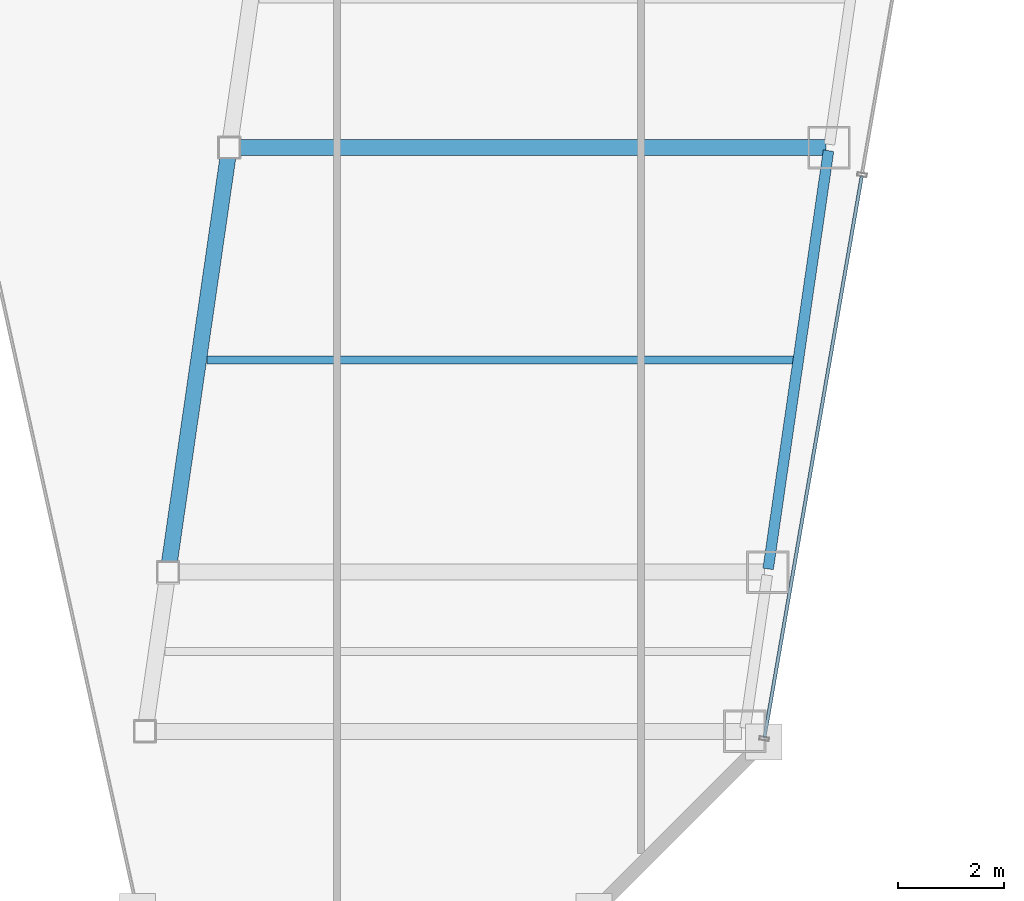
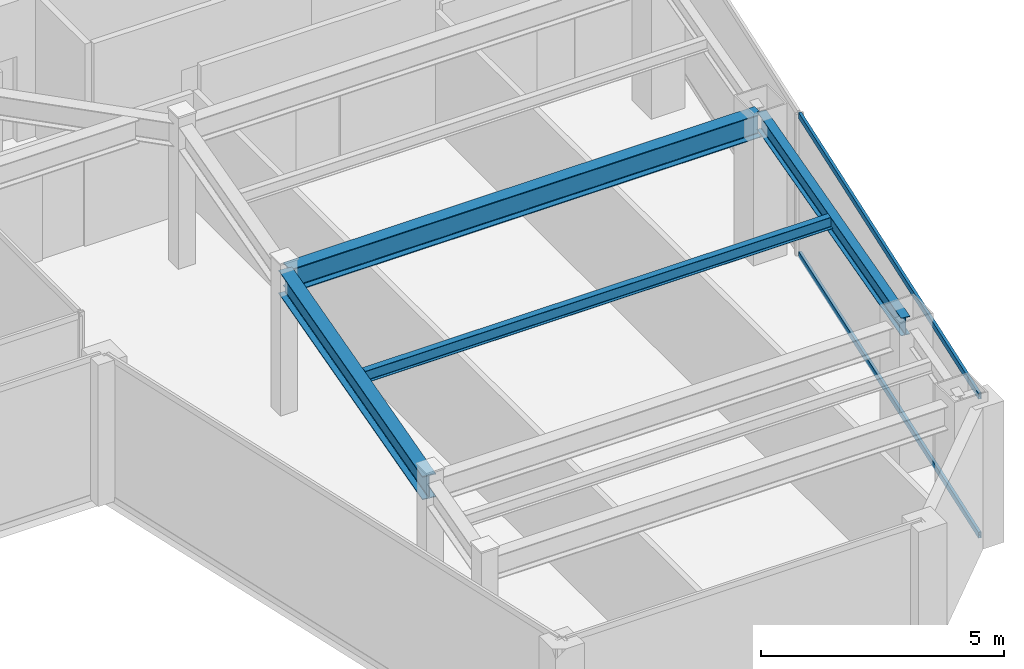
# One storey, part 15 of 33: 4 beams, 2 members, 1 element without a shape of its own.
"""IFC4 building model written with IfcOpenShell, lengths in metres."""

from ifc_helpers import new_model, si_unit, direction, frame, origin, origin_2d, place, context, subcontext, project, spatial, hollow_rectangle, i_section, extrude, material, material_profile, profile_set, type_object, element, aggregate, save


model = new_model("IFC4")

# Units and contexts
model_context = context("Model", 3, precision=1e-05, world=origin(), true_north=direction((0.0, 1.0)))
body_context = subcontext(model_context, "Body", "Model", "MODEL_VIEW")
ifc_project = project(units=[si_unit("LENGTHUNIT", "METRE"), si_unit("AREAUNIT", "SQUARE_METRE"), si_unit("VOLUMEUNIT", "CUBIC_METRE"), si_unit("PLANEANGLEUNIT", "RADIAN"), si_unit("MASSUNIT", "GRAM", prefix="KILO")], contexts=[model_context])

# Site, building, storey
site_placement = place(None, origin())
site = spatial("IfcSite", under=ifc_project, at=site_placement, CompositionType="ELEMENT")
building_placement = place(site_placement, origin())
building = spatial("IfcBuilding", under=site, at=building_placement, Name="Saevonmaru Cultural Tower", CompositionType="ELEMENT")
storey_placement = place(building_placement, frame((0.0, 0.0, 234.39990234375)))
storey = spatial("IfcBuildingStorey", under=building, at=storey_placement, Name="L54", CompositionType="ELEMENT", Elevation=234.39990234375)

# Beams
ifc_material_1 = material(Name="Steel SM355", Category="steel")
ifc_material_profile_1 = material_profile(ifc_material_1, i_section(OverallWidth=0.300048828125, OverallDepth=0.587890625, WebThickness=0.011962890625, FlangeThickness=0.02001953125, FilletRadius=0.02392578125, at=origin_2d()), Name="H-588x300x12x20")
ifc_profile_set_1 = profile_set([ifc_material_profile_1], Name="Steel SM355")
beam_type_1 = type_object("IfcBeamType", Name="BM-G-H588", PredefinedType="BEAM", material=ifc_profile_set_1)
beam_1_placement = place(storey_placement, frame((39.236572265625, 24.059326171875, 3.256103515625), z_axis=(0.142902032203, 0.989736838353, 0.0), x_axis=(-0.989736838353, 0.142902032203, 0.0)))
element("IfcBeam", 1, at=beam_1_placement, inside=storey, type_object=beam_type_1, Name="L54 East Atrium Girder 2", PredefinedType="BEAM", context=body_context, shape_type="SweptSolid", body=[
    extrude(i_section(OverallWidth=0.300048828125, OverallDepth=0.587890625, WebThickness=0.011962890625, FlangeThickness=0.02001953125, FilletRadius=0.02392578125, at=origin_2d()), origin(), (0.0, 0.0, 1.0), 7.963134765625),
])
beam_2_placement = place(storey_placement, frame((40.443115234375, 32.0, 3.256103515625), z_axis=(1.0, 0.0, 0.0), x_axis=(0.0, 1.0, 0.0)))
element("IfcBeam", 2, at=beam_2_placement, inside=storey, type_object=beam_type_1, Name="L54 East Wing Transverse Girder 3", PredefinedType="BEAM", context=body_context, shape_type="SweptSolid", body=[
    extrude(i_section(OverallWidth=0.300048828125, OverallDepth=0.587890625, WebThickness=0.011962890625, FlangeThickness=0.02001953125, FilletRadius=0.02392578125, at=origin_2d()), origin(), (0.0, 0.0, 1.0), 11.179931640625),
])
ifc_material_profile_2 = material_profile(ifc_material_1, i_section(OverallWidth=0.14990234375, OverallDepth=0.300048828125, WebThickness=0.006591796875, FlangeThickness=0.009033203125, FilletRadius=0.012939453125, at=origin_2d()), Name="H-300x150x6.5x9")
ifc_profile_set_2 = profile_set([ifc_material_profile_2], Name="Steel SM355")
beam_type_2 = type_object("IfcBeamType", Name="BM-J-H300", PredefinedType="JOIST", material=ifc_profile_set_2)
beam_3_placement = place(storey_placement, frame((39.96337890625, 28.0, 3.400146484375), z_axis=(1.0, 0.0, 0.0), x_axis=(0.0, 1.0, 0.0)))
element("IfcBeam", 3, at=beam_3_placement, inside=storey, type_object=beam_type_2, Name="L54 East Wing Floor Joist 2", PredefinedType="JOIST", context=body_context, shape_type="SweptSolid", body=[
    extrude(i_section(OverallWidth=0.14990234375, OverallDepth=0.300048828125, WebThickness=0.006591796875, FlangeThickness=0.009033203125, FilletRadius=0.012939453125, at=origin_2d()), origin(), (0.0, 0.0, 1.0), 11.08203125),
])
ifc_material_profile_3 = material_profile(ifc_material_1, i_section(OverallWidth=0.199951171875, OverallDepth=0.449951171875, WebThickness=0.009033203125, FlangeThickness=0.013916015625, FilletRadius=0.01806640625, at=origin_2d()), Name="H-450x200x9x14")
ifc_profile_set_3 = profile_set([ifc_material_profile_3], Name="Steel SM355")
beam_type_3 = type_object("IfcBeamType", Name="BM-SP-H450", PredefinedType="SPANDREL", material=ifc_profile_set_3)
beam_4_placement = place(storey_placement, frame((50.53662109375, 24.059326171875, 3.3251953125), z_axis=(0.142871999001, 0.989741174197, 0.0), x_axis=(-0.989741174197, 0.142871999001, 0.0)))
element("IfcBeam", 4, at=beam_4_placement, inside=storey, type_object=beam_type_3, Name="L54 East Splayed Spandrel 2", PredefinedType="SPANDREL", context=body_context, shape_type="SweptSolid", body=[
    extrude(i_section(OverallWidth=0.199951171875, OverallDepth=0.449951171875, WebThickness=0.009033203125, FlangeThickness=0.013916015625, FilletRadius=0.01806640625, at=origin_2d()), origin(), (0.0, 0.0, 1.0), 7.963134765625),
])

# Curtain wall, members
ifc_material_2 = material(Name="Satin Bronze Anodised Aluminium", Category="aluminium")
curtain_wall_type = type_object("IfcCurtainWallType", Name="CW-TYP-B", PredefinedType="NOTDEFINED", material=ifc_material_2)
curtain_wall_placement = place(storey_placement, origin())
curtain_wall = element("IfcCurtainWall", 5, at=curtain_wall_placement, inside=storey, type_object=curtain_wall_type, Name="L54 Unitised Curtain Wall E8", PredefinedType="NOTDEFINED")
ifc_material_profile_4 = material_profile(ifc_material_2, hollow_rectangle(XDim=0.06494140625, YDim=0.14990234375, WallThickness=0.00390625, at=origin_2d()), Name="ALU-TRAN-150x65x4")
ifc_profile_set_4 = profile_set([ifc_material_profile_4], Name="Satin Bronze Anodised Aluminium")
member_type = type_object("IfcMemberType", Name="TR-CW-150x65", PredefinedType="USERDEFINED", material=ifc_profile_set_4)
member_1_placement = place(storey_placement, frame((50.468994140625, 20.89111328125, 0.03271484375), z_axis=(0.170795272137, 0.985306538604, 0.0), x_axis=(-0.985306538604, 0.170795272137, 0.0)))
member_1 = element("IfcMember", 6, at=member_1_placement, type_object=member_type, Name="CW-TW-L54-E8 transom 1.1", ObjectType="TRANSOM", PredefinedType="USERDEFINED", context=body_context, shape_type="SweptSolid", body=[
    extrude(hollow_rectangle(XDim=0.06494140625, YDim=0.14990234375, WallThickness=0.00390625, at=origin_2d()), origin(), (0.0, 0.0, 1.0), 10.720703125),
])
member_2_placement = place(storey_placement, frame((50.468994140625, 20.89111328125, 3.517578125), z_axis=(0.170795272137, 0.985306538604, 0.0), x_axis=(-0.985306538604, 0.170795272137, 0.0)))
member_2 = element("IfcMember", 7, at=member_2_placement, type_object=member_type, Name="CW-TW-L54-E8 transom 1.2", ObjectType="TRANSOM", PredefinedType="USERDEFINED", context=body_context, shape_type="SweptSolid", body=[
    extrude(hollow_rectangle(XDim=0.06494140625, YDim=0.14990234375, WallThickness=0.00390625, at=origin_2d()), origin(), (0.0, 0.0, 1.0), 10.720703125),
])
aggregate(curtain_wall, [member_1, member_2])

save(model, "model.ifc")
